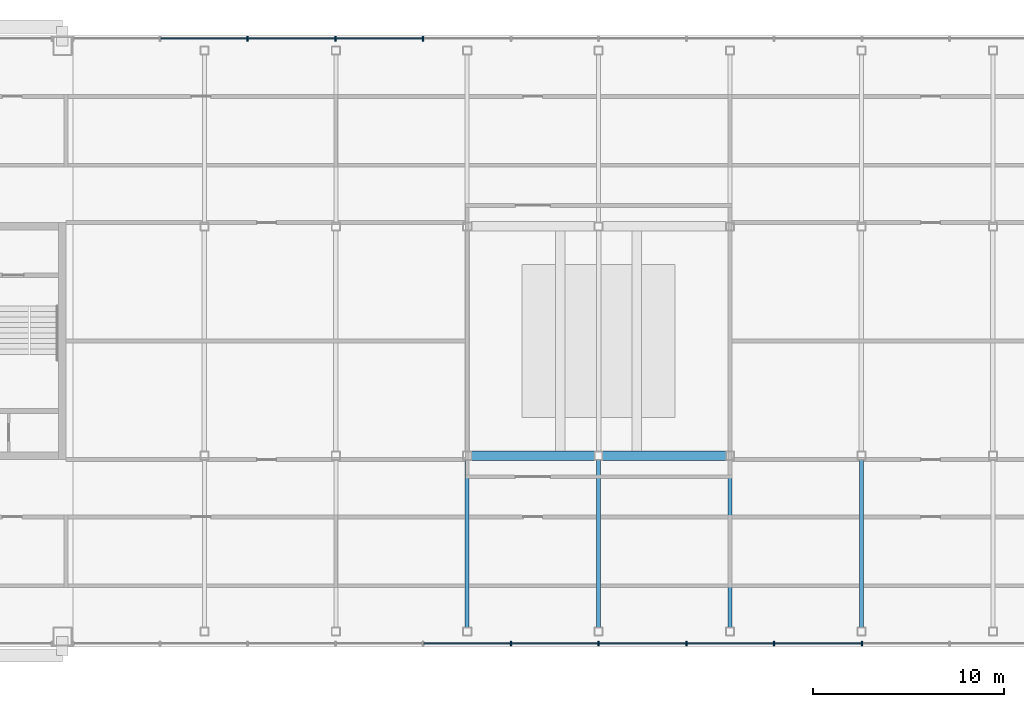
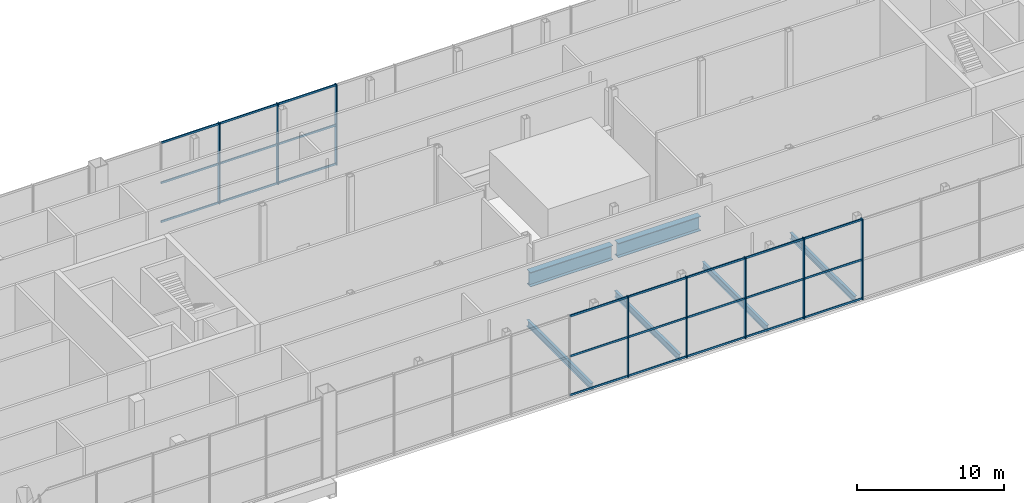
# One storey, part 8 of 27: 32 members, 6 beams, 2 elements without a shape of their own.
"""IFC4 building model written with IfcOpenShell, lengths in metres."""

from ifc_helpers import new_model, si_unit, direction, frame, origin, origin_2d, place, context, subcontext, project, spatial, rectangle, i_section, extrude, material, material_profile, profile_set, type_object, element, aggregate, save


model = new_model("IFC4")

# Units and contexts
model_context = context("Model", 3, precision=1e-05, world=origin(), true_north=direction((0.0, 1.0)))
body_context = subcontext(model_context, "Body", "Model", "MODEL_VIEW")
ifc_project = project(units=[si_unit("LENGTHUNIT", "METRE"), si_unit("AREAUNIT", "SQUARE_METRE"), si_unit("VOLUMEUNIT", "CUBIC_METRE"), si_unit("PLANEANGLEUNIT", "RADIAN"), si_unit("MASSUNIT", "GRAM", prefix="KILO")], contexts=[model_context])

# Site, building, storey
site_placement = place(None, origin())
site = spatial("IfcSite", under=ifc_project, at=site_placement, CompositionType="ELEMENT")
building_placement = place(site_placement, origin())
building = spatial("IfcBuilding", under=site, at=building_placement, Name="Tuart Gate Housing", CompositionType="ELEMENT")
storey_placement = place(building_placement, frame((0.0, 0.0, 236.89990234375)))
storey = spatial("IfcBuildingStorey", under=building, at=storey_placement, Name="L67", CompositionType="ELEMENT", Elevation=236.89990234375)

# Beams
ifc_material_1 = material(Name="Steel Grade 350", Category="steel")
ifc_material_profile_1 = material_profile(ifc_material_1, i_section(OverallWidth=0.5, OverallDepth=1.199951171875, WebThickness=0.01611328125, FlangeThickness=0.0400390625, at=origin_2d()), Name="1200WB455")
ifc_profile_set_1 = profile_set([ifc_material_profile_1], Name="Steel Grade 350")
beam_type_1 = type_object("IfcBeamType", Name="Damper grillage girder 1200 WB455", PredefinedType="BEAM", material=ifc_profile_set_1)
for number, where, z_axis, x_axis, name in (
    (1, (96.824951171875, 64.0, 2.9501953125), (1.0, 0.0, 0.0), (0.0, 1.0, 0.0), "Damper grillage girder 1A"),
    (2, (103.699951171875, 64.0, 2.9501953125), (1.0, 0.0, 0.0), (0.0, 1.0, 0.0), "Damper grillage girder 1B"),
):
    element("IfcBeam", number, at=place(storey_placement, frame(where, z_axis=z_axis, x_axis=x_axis)), inside=storey, type_object=beam_type_1, Name=name, PredefinedType="BEAM", context=body_context, shape_type="SweptSolid", body=[
        extrude(i_section(OverallWidth=0.5, OverallDepth=1.199951171875, WebThickness=0.01611328125, FlangeThickness=0.0400390625, at=origin_2d()), origin(), (0.0, 0.0, 1.0), 6.47509765625),
    ])
ifc_material_2 = material(Name="Steel Grade 350", Category="steel")
ifc_material_profile_2 = material_profile(ifc_material_2, i_section(OverallWidth=0.208984375, OverallDepth=0.532958984375, WebThickness=0.01025390625, FlangeThickness=0.015625, at=origin_2d()), Name="530UB92.4")
ifc_profile_set_2 = profile_set([ifc_material_profile_2], Name="Steel Grade 350")
beam_type_2 = type_object("IfcBeamType", Name="Floor beam 530 UB92.4", PredefinedType="BEAM", material=ifc_profile_set_2)
for number, where, z_axis, x_axis, name in (
    (3, (96.625, 55.014892578125, -0.515869140625), (0.0, 1.0, 0.0), (-1.0, 0.0, 0.0), "Block floor beam L67 bay 3 position 1"),
    (4, (103.5, 55.014892578125, -0.515869140625), (0.0, 1.0, 0.0), (-1.0, 0.0, 0.0), "Block floor beam L67 bay 4 position 1"),
    (5, (110.375, 55.014892578125, -0.515869140625), (0.0, 1.0, 0.0), (-1.0, 0.0, 0.0), "Block floor beam L67 bay 5 position 1"),
    (6, (117.25, 55.014892578125, -0.515869140625), (0.0, 1.0, 0.0), (-1.0, 0.0, 0.0), "Block floor beam L67 bay 6 position 1"),
):
    element("IfcBeam", number, at=place(storey_placement, frame(where, z_axis=z_axis, x_axis=x_axis)), inside=storey, type_object=beam_type_2, Name=name, PredefinedType="BEAM", context=body_context, shape_type="SweptSolid", body=[
        extrude(i_section(OverallWidth=0.208984375, OverallDepth=0.532958984375, WebThickness=0.01025390625, FlangeThickness=0.015625, at=origin_2d()), origin(), (0.0, 0.0, 1.0), 8.77001953125),
    ])

# Curtain wall, members
ifc_material_3 = material(Name="Aluminium and clear glass", Category="aluminium")
curtain_wall_type = type_object("IfcCurtainWallType", Name="Damper floor glazing", PredefinedType="USERDEFINED", material=ifc_material_3)
curtain_wall_1_placement = place(storey_placement, origin())
curtain_wall_1 = element("IfcCurtainWall", 7, at=curtain_wall_1_placement, inside=storey, type_object=curtain_wall_type, Name="Damper floor glazing BLK-S L67", ObjectType="DAMPER FLOOR GLAZING", PredefinedType="USERDEFINED")
ifc_material_4 = material(Name="Anodised aluminium", Category="aluminium")
ifc_material_profile_3 = material_profile(ifc_material_4, rectangle(XDim=0.080078125, YDim=0.25, at=origin_2d()), Name="80x250")
ifc_profile_set_3 = profile_set([ifc_material_profile_3], Name="Anodised aluminium")
member_type_1 = type_object("IfcMemberType", Name="Mullion 80 x 250", PredefinedType="MULLION", material=ifc_profile_set_3)
member_1_placement = place(storey_placement, frame((98.908447265625, 54.179931640625, 0.0), z_axis=(0.0, 0.0, 1.0), x_axis=(1.0, 0.0, 0.0)))
member_1 = element("IfcMember", 8, at=member_1_placement, type_object=member_type_1, Name="CW5 mullion 6", PredefinedType="MULLION", context=body_context, shape_type="SweptSolid", body=[
    extrude(rectangle(XDim=0.080078125, YDim=0.25, at=origin_2d()), origin(), (0.0, 0.0, 1.0), 6.7001953125),
])
member_2_placement = place(storey_placement, frame((103.5, 54.179931640625, 0.0), z_axis=(0.0, 0.0, 1.0), x_axis=(1.0, 0.0, 0.0)))
member_2 = element("IfcMember", 9, at=member_2_placement, type_object=member_type_1, Name="CW5 mullion 7", PredefinedType="MULLION", context=body_context, shape_type="SweptSolid", body=[
    extrude(rectangle(XDim=0.080078125, YDim=0.25, at=origin_2d()), origin(), (0.0, 0.0, 1.0), 6.7001953125),
])
member_3_placement = place(storey_placement, frame((108.091552734375, 54.179931640625, 0.0), z_axis=(0.0, 0.0, 1.0), x_axis=(1.0, 0.0, 0.0)))
member_3 = element("IfcMember", 10, at=member_3_placement, type_object=member_type_1, Name="CW5 mullion 8", PredefinedType="MULLION", context=body_context, shape_type="SweptSolid", body=[
    extrude(rectangle(XDim=0.080078125, YDim=0.25, at=origin_2d()), origin(), (0.0, 0.0, 1.0), 6.7001953125),
])
member_4_placement = place(storey_placement, frame((112.683349609375, 54.179931640625, 0.0), z_axis=(0.0, 0.0, 1.0), x_axis=(1.0, 0.0, 0.0)))
member_4 = element("IfcMember", 11, at=member_4_placement, type_object=member_type_1, Name="CW5 mullion 9", PredefinedType="MULLION", context=body_context, shape_type="SweptSolid", body=[
    extrude(rectangle(XDim=0.080078125, YDim=0.25, at=origin_2d()), origin(), (0.0, 0.0, 1.0), 6.7001953125),
])
member_5_placement = place(storey_placement, frame((117.27490234375, 54.179931640625, 0.0), z_axis=(0.0, 0.0, 1.0), x_axis=(1.0, 0.0, 0.0)))
member_5 = element("IfcMember", 12, at=member_5_placement, type_object=member_type_1, Name="CW5 mullion 10", PredefinedType="MULLION", context=body_context, shape_type="SweptSolid", body=[
    extrude(rectangle(XDim=0.080078125, YDim=0.25, at=origin_2d()), origin(), (0.0, 0.0, 1.0), 6.7001953125),
])

curtain_wall_2_placement = place(storey_placement, origin())
curtain_wall_2 = element("IfcCurtainWall", 13, at=curtain_wall_2_placement, inside=storey, type_object=curtain_wall_type, Name="Damper floor glazing BLK-N L67", ObjectType="DAMPER FLOOR GLAZING", PredefinedType="USERDEFINED")
member_6_placement = place(storey_placement, frame((94.316650390625, 85.820068359375, 0.0), z_axis=(0.0, 0.0, 1.0), x_axis=(-1.0, 0.0, 0.0)))
member_6 = element("IfcMember", 14, at=member_6_placement, type_object=member_type_1, Name="CW5 mullion 9", PredefinedType="MULLION", context=body_context, shape_type="SweptSolid", body=[
    extrude(rectangle(XDim=0.080078125, YDim=0.25, at=origin_2d()), origin(), (0.0, 0.0, 1.0), 6.7001953125),
])
member_7_placement = place(storey_placement, frame((89.72509765625, 85.820068359375, 0.0), z_axis=(0.0, 0.0, 1.0), x_axis=(-1.0, 0.0, 0.0)))
member_7 = element("IfcMember", 15, at=member_7_placement, type_object=member_type_1, Name="CW5 mullion 10", PredefinedType="MULLION", context=body_context, shape_type="SweptSolid", body=[
    extrude(rectangle(XDim=0.080078125, YDim=0.25, at=origin_2d()), origin(), (0.0, 0.0, 1.0), 6.7001953125),
])
member_8_placement = place(storey_placement, frame((85.13330078125, 85.820068359375, 0.0), z_axis=(0.0, 0.0, 1.0), x_axis=(-1.0, 0.0, 0.0)))
member_8 = element("IfcMember", 16, at=member_8_placement, type_object=member_type_1, Name="CW5 mullion 11", PredefinedType="MULLION", context=body_context, shape_type="SweptSolid", body=[
    extrude(rectangle(XDim=0.080078125, YDim=0.25, at=origin_2d()), origin(), (0.0, 0.0, 1.0), 6.7001953125),
])

# Member
ifc_material_5 = material(Name="Anodised aluminium", Category="aluminium")
ifc_material_profile_4 = material_profile(ifc_material_5, rectangle(XDim=0.080078125, YDim=0.159912109375, at=origin_2d()), Name="80x160")
ifc_profile_set_4 = profile_set([ifc_material_profile_4], Name="Anodised aluminium")
member_type_2 = type_object("IfcMemberType", Name="Transom 80 x 160", PredefinedType="USERDEFINED", material=ifc_profile_set_4)
member_9_placement = place(storey_placement, frame((94.356689453125, 54.179931640625, 0.080078125), z_axis=(1.0, 0.0, 0.0), x_axis=(0.0, 1.0, 0.0)))
member_9 = element("IfcMember", 17, at=member_9_placement, type_object=member_type_2, Name="CW5 transom 5.1", ObjectType="TRANSOM", PredefinedType="USERDEFINED", context=body_context, shape_type="SweptSolid", body=[
    extrude(rectangle(XDim=0.080078125, YDim=0.159912109375, at=origin_2d()), origin(), (0.0, 0.0, 1.0), 4.51171875),
])

member_10_placement = place(storey_placement, frame((94.356689453125, 54.179931640625, 3.300048828125), z_axis=(1.0, 0.0, 0.0), x_axis=(0.0, 1.0, 0.0)))
member_10 = element("IfcMember", 18, at=member_10_placement, type_object=member_type_2, Name="CW5 transom 5.2", ObjectType="TRANSOM", PredefinedType="USERDEFINED", context=body_context, shape_type="SweptSolid", body=[
    extrude(rectangle(XDim=0.080078125, YDim=0.159912109375, at=origin_2d()), origin(), (0.0, 0.0, 1.0), 4.51171875),
])

member_11_placement = place(storey_placement, frame((94.356689453125, 54.179931640625, 6.6201171875), z_axis=(1.0, 0.0, 0.0), x_axis=(0.0, 1.0, 0.0)))
member_11 = element("IfcMember", 19, at=member_11_placement, type_object=member_type_2, Name="CW5 transom 5.3", ObjectType="TRANSOM", PredefinedType="USERDEFINED", context=body_context, shape_type="SweptSolid", body=[
    extrude(rectangle(XDim=0.080078125, YDim=0.159912109375, at=origin_2d()), origin(), (0.0, 0.0, 1.0), 4.51171875),
])

member_12_placement = place(storey_placement, frame((98.9482421875, 54.179931640625, 0.080078125), z_axis=(1.0, 0.0, 0.0), x_axis=(0.0, 1.0, 0.0)))
member_12 = element("IfcMember", 20, at=member_12_placement, type_object=member_type_2, Name="CW5 transom 6.1", ObjectType="TRANSOM", PredefinedType="USERDEFINED", context=body_context, shape_type="SweptSolid", body=[
    extrude(rectangle(XDim=0.080078125, YDim=0.159912109375, at=origin_2d()), origin(), (0.0, 0.0, 1.0), 4.51171875),
])

member_13_placement = place(storey_placement, frame((98.9482421875, 54.179931640625, 3.300048828125), z_axis=(1.0, 0.0, 0.0), x_axis=(0.0, 1.0, 0.0)))
member_13 = element("IfcMember", 21, at=member_13_placement, type_object=member_type_2, Name="CW5 transom 6.2", ObjectType="TRANSOM", PredefinedType="USERDEFINED", context=body_context, shape_type="SweptSolid", body=[
    extrude(rectangle(XDim=0.080078125, YDim=0.159912109375, at=origin_2d()), origin(), (0.0, 0.0, 1.0), 4.51171875),
])

member_14_placement = place(storey_placement, frame((98.9482421875, 54.179931640625, 6.6201171875), z_axis=(1.0, 0.0, 0.0), x_axis=(0.0, 1.0, 0.0)))
member_14 = element("IfcMember", 22, at=member_14_placement, type_object=member_type_2, Name="CW5 transom 6.3", ObjectType="TRANSOM", PredefinedType="USERDEFINED", context=body_context, shape_type="SweptSolid", body=[
    extrude(rectangle(XDim=0.080078125, YDim=0.159912109375, at=origin_2d()), origin(), (0.0, 0.0, 1.0), 4.51171875),
])

member_15_placement = place(storey_placement, frame((103.5400390625, 54.179931640625, 0.080078125), z_axis=(1.0, 0.0, 0.0), x_axis=(0.0, 1.0, 0.0)))
member_15 = element("IfcMember", 23, at=member_15_placement, type_object=member_type_2, Name="CW5 transom 7.1", ObjectType="TRANSOM", PredefinedType="USERDEFINED", context=body_context, shape_type="SweptSolid", body=[
    extrude(rectangle(XDim=0.080078125, YDim=0.159912109375, at=origin_2d()), origin(), (0.0, 0.0, 1.0), 4.51171875),
])

member_16_placement = place(storey_placement, frame((103.5400390625, 54.179931640625, 3.300048828125), z_axis=(1.0, 0.0, 0.0), x_axis=(0.0, 1.0, 0.0)))
member_16 = element("IfcMember", 24, at=member_16_placement, type_object=member_type_2, Name="CW5 transom 7.2", ObjectType="TRANSOM", PredefinedType="USERDEFINED", context=body_context, shape_type="SweptSolid", body=[
    extrude(rectangle(XDim=0.080078125, YDim=0.159912109375, at=origin_2d()), origin(), (0.0, 0.0, 1.0), 4.51171875),
])

member_17_placement = place(storey_placement, frame((103.5400390625, 54.179931640625, 6.6201171875), z_axis=(1.0, 0.0, 0.0), x_axis=(0.0, 1.0, 0.0)))
member_17 = element("IfcMember", 25, at=member_17_placement, type_object=member_type_2, Name="CW5 transom 7.3", ObjectType="TRANSOM", PredefinedType="USERDEFINED", context=body_context, shape_type="SweptSolid", body=[
    extrude(rectangle(XDim=0.080078125, YDim=0.159912109375, at=origin_2d()), origin(), (0.0, 0.0, 1.0), 4.51171875),
])

member_18_placement = place(storey_placement, frame((108.131591796875, 54.179931640625, 0.080078125), z_axis=(1.0, 0.0, 0.0), x_axis=(0.0, 1.0, 0.0)))
member_18 = element("IfcMember", 26, at=member_18_placement, type_object=member_type_2, Name="CW5 transom 8.1", ObjectType="TRANSOM", PredefinedType="USERDEFINED", context=body_context, shape_type="SweptSolid", body=[
    extrude(rectangle(XDim=0.080078125, YDim=0.159912109375, at=origin_2d()), origin(), (0.0, 0.0, 1.0), 4.51171875),
])

member_19_placement = place(storey_placement, frame((108.131591796875, 54.179931640625, 3.300048828125), z_axis=(1.0, 0.0, 0.0), x_axis=(0.0, 1.0, 0.0)))
member_19 = element("IfcMember", 27, at=member_19_placement, type_object=member_type_2, Name="CW5 transom 8.2", ObjectType="TRANSOM", PredefinedType="USERDEFINED", context=body_context, shape_type="SweptSolid", body=[
    extrude(rectangle(XDim=0.080078125, YDim=0.159912109375, at=origin_2d()), origin(), (0.0, 0.0, 1.0), 4.51171875),
])

member_20_placement = place(storey_placement, frame((108.131591796875, 54.179931640625, 6.6201171875), z_axis=(1.0, 0.0, 0.0), x_axis=(0.0, 1.0, 0.0)))
member_20 = element("IfcMember", 28, at=member_20_placement, type_object=member_type_2, Name="CW5 transom 8.3", ObjectType="TRANSOM", PredefinedType="USERDEFINED", context=body_context, shape_type="SweptSolid", body=[
    extrude(rectangle(XDim=0.080078125, YDim=0.159912109375, at=origin_2d()), origin(), (0.0, 0.0, 1.0), 4.51171875),
])

member_21_placement = place(storey_placement, frame((112.723388671875, 54.179931640625, 0.080078125), z_axis=(1.0, 0.0, 0.0), x_axis=(0.0, 1.0, 0.0)))
member_21 = element("IfcMember", 29, at=member_21_placement, type_object=member_type_2, Name="CW5 transom 9.1", ObjectType="TRANSOM", PredefinedType="USERDEFINED", context=body_context, shape_type="SweptSolid", body=[
    extrude(rectangle(XDim=0.080078125, YDim=0.159912109375, at=origin_2d()), origin(), (0.0, 0.0, 1.0), 4.51171875),
])

member_22_placement = place(storey_placement, frame((112.723388671875, 54.179931640625, 3.300048828125), z_axis=(1.0, 0.0, 0.0), x_axis=(0.0, 1.0, 0.0)))
member_22 = element("IfcMember", 30, at=member_22_placement, type_object=member_type_2, Name="CW5 transom 9.2", ObjectType="TRANSOM", PredefinedType="USERDEFINED", context=body_context, shape_type="SweptSolid", body=[
    extrude(rectangle(XDim=0.080078125, YDim=0.159912109375, at=origin_2d()), origin(), (0.0, 0.0, 1.0), 4.51171875),
])

member_23_placement = place(storey_placement, frame((112.723388671875, 54.179931640625, 6.6201171875), z_axis=(1.0, 0.0, 0.0), x_axis=(0.0, 1.0, 0.0)))
member_23 = element("IfcMember", 31, at=member_23_placement, type_object=member_type_2, Name="CW5 transom 9.3", ObjectType="TRANSOM", PredefinedType="USERDEFINED", context=body_context, shape_type="SweptSolid", body=[
    extrude(rectangle(XDim=0.080078125, YDim=0.159912109375, at=origin_2d()), origin(), (0.0, 0.0, 1.0), 4.51171875),
])

aggregate(curtain_wall_1, [member_1, member_2, member_3, member_4, member_5, member_9, member_10, member_11, member_12, member_13, member_14, member_15, member_16, member_17, member_18, member_19, member_20, member_21, member_22, member_23])

member_24_placement = place(storey_placement, frame((94.276611328125, 85.820068359375, 0.080078125), z_axis=(-1.0, 0.0, 0.0), x_axis=(0.0, -1.0, 0.0)))
member_24 = element("IfcMember", 32, at=member_24_placement, type_object=member_type_2, Name="CW5 transom 9.1", ObjectType="TRANSOM", PredefinedType="USERDEFINED", context=body_context, shape_type="SweptSolid", body=[
    extrude(rectangle(XDim=0.080078125, YDim=0.159912109375, at=origin_2d()), origin(), (0.0, 0.0, 1.0), 4.51171875),
])

member_25_placement = place(storey_placement, frame((94.276611328125, 85.820068359375, 3.300048828125), z_axis=(-1.0, 0.0, 0.0), x_axis=(0.0, -1.0, 0.0)))
member_25 = element("IfcMember", 33, at=member_25_placement, type_object=member_type_2, Name="CW5 transom 9.2", ObjectType="TRANSOM", PredefinedType="USERDEFINED", context=body_context, shape_type="SweptSolid", body=[
    extrude(rectangle(XDim=0.080078125, YDim=0.159912109375, at=origin_2d()), origin(), (0.0, 0.0, 1.0), 4.51171875),
])

member_26_placement = place(storey_placement, frame((94.276611328125, 85.820068359375, 6.6201171875), z_axis=(-1.0, 0.0, 0.0), x_axis=(0.0, -1.0, 0.0)))
member_26 = element("IfcMember", 34, at=member_26_placement, type_object=member_type_2, Name="CW5 transom 9.3", ObjectType="TRANSOM", PredefinedType="USERDEFINED", context=body_context, shape_type="SweptSolid", body=[
    extrude(rectangle(XDim=0.080078125, YDim=0.159912109375, at=origin_2d()), origin(), (0.0, 0.0, 1.0), 4.51171875),
])

member_27_placement = place(storey_placement, frame((89.68505859375, 85.820068359375, 0.080078125), z_axis=(-1.0, 0.0, 0.0), x_axis=(0.0, -1.0, 0.0)))
member_27 = element("IfcMember", 35, at=member_27_placement, type_object=member_type_2, Name="CW5 transom 10.1", ObjectType="TRANSOM", PredefinedType="USERDEFINED", context=body_context, shape_type="SweptSolid", body=[
    extrude(rectangle(XDim=0.080078125, YDim=0.159912109375, at=origin_2d()), origin(), (0.0, 0.0, 1.0), 4.51171875),
])

member_28_placement = place(storey_placement, frame((89.68505859375, 85.820068359375, 3.300048828125), z_axis=(-1.0, 0.0, 0.0), x_axis=(0.0, -1.0, 0.0)))
member_28 = element("IfcMember", 36, at=member_28_placement, type_object=member_type_2, Name="CW5 transom 10.2", ObjectType="TRANSOM", PredefinedType="USERDEFINED", context=body_context, shape_type="SweptSolid", body=[
    extrude(rectangle(XDim=0.080078125, YDim=0.159912109375, at=origin_2d()), origin(), (0.0, 0.0, 1.0), 4.51171875),
])

member_29_placement = place(storey_placement, frame((89.68505859375, 85.820068359375, 6.6201171875), z_axis=(-1.0, 0.0, 0.0), x_axis=(0.0, -1.0, 0.0)))
member_29 = element("IfcMember", 37, at=member_29_placement, type_object=member_type_2, Name="CW5 transom 10.3", ObjectType="TRANSOM", PredefinedType="USERDEFINED", context=body_context, shape_type="SweptSolid", body=[
    extrude(rectangle(XDim=0.080078125, YDim=0.159912109375, at=origin_2d()), origin(), (0.0, 0.0, 1.0), 4.51171875),
])

member_30_placement = place(storey_placement, frame((85.09326171875, 85.820068359375, 0.080078125), z_axis=(-1.0, 0.0, 0.0), x_axis=(0.0, -1.0, 0.0)))
member_30 = element("IfcMember", 38, at=member_30_placement, type_object=member_type_2, Name="CW5 transom 11.1", ObjectType="TRANSOM", PredefinedType="USERDEFINED", context=body_context, shape_type="SweptSolid", body=[
    extrude(rectangle(XDim=0.080078125, YDim=0.159912109375, at=origin_2d()), origin(), (0.0, 0.0, 1.0), 4.511474609375),
])

member_31_placement = place(storey_placement, frame((85.09326171875, 85.820068359375, 3.300048828125), z_axis=(-1.0, 0.0, 0.0), x_axis=(0.0, -1.0, 0.0)))
member_31 = element("IfcMember", 39, at=member_31_placement, type_object=member_type_2, Name="CW5 transom 11.2", ObjectType="TRANSOM", PredefinedType="USERDEFINED", context=body_context, shape_type="SweptSolid", body=[
    extrude(rectangle(XDim=0.080078125, YDim=0.159912109375, at=origin_2d()), origin(), (0.0, 0.0, 1.0), 4.511474609375),
])

member_32_placement = place(storey_placement, frame((85.09326171875, 85.820068359375, 6.6201171875), z_axis=(-1.0, 0.0, 0.0), x_axis=(0.0, -1.0, 0.0)))
member_32 = element("IfcMember", 40, at=member_32_placement, type_object=member_type_2, Name="CW5 transom 11.3", ObjectType="TRANSOM", PredefinedType="USERDEFINED", context=body_context, shape_type="SweptSolid", body=[
    extrude(rectangle(XDim=0.080078125, YDim=0.159912109375, at=origin_2d()), origin(), (0.0, 0.0, 1.0), 4.511474609375),
])

aggregate(curtain_wall_2, [member_6, member_7, member_8, member_24, member_25, member_26, member_27, member_28, member_29, member_30, member_31, member_32])

save(model, "model.ifc")
